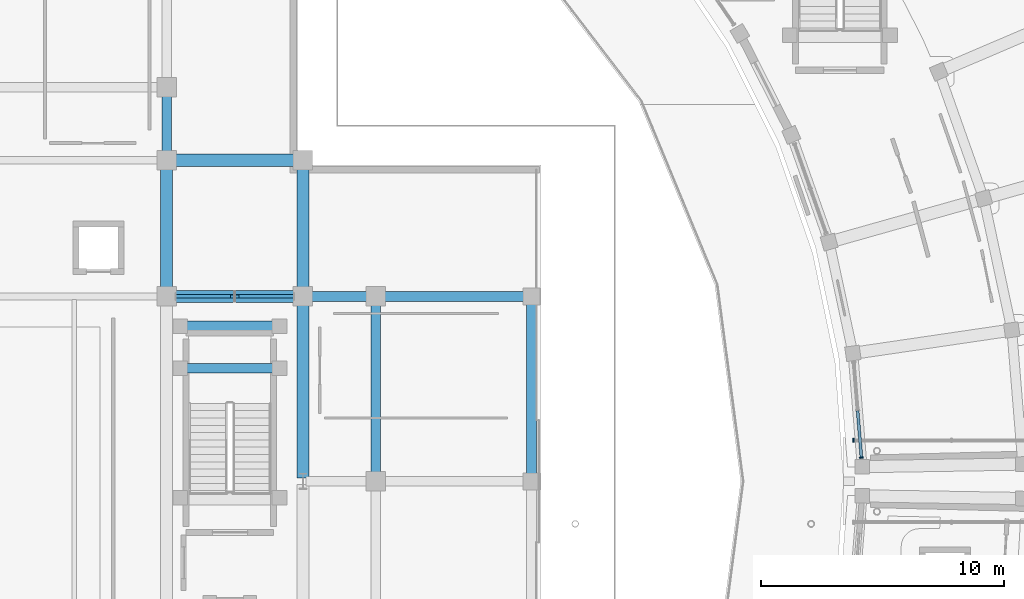
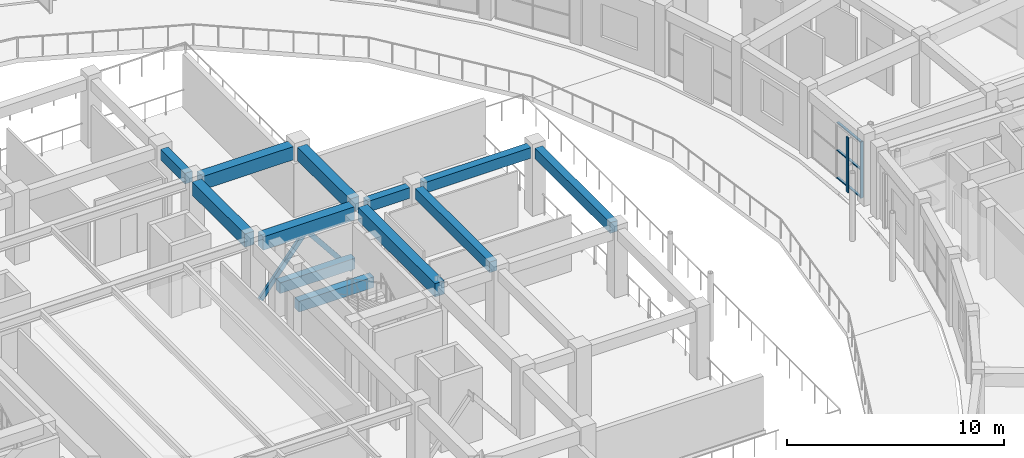
# One storey, part 33 of 83: 12 beams, 7 members, 2 elements without a shape of their own.
"""IFC4 building model written with IfcOpenShell, lengths in metres."""

from ifc_helpers import new_model, si_unit, direction, frame, origin, origin_2d, place, context, subcontext, project, spatial, rectangle, hollow_rectangle, extrude, material, material_profile, profile_set, type_object, element, aggregate, save


model = new_model("IFC4")

# Units and contexts
model_context = context("Model", 3, precision=1e-05, world=origin(), true_north=direction((0.0, 1.0)))
body_context = subcontext(model_context, "Body", "Model", "MODEL_VIEW")
ifc_project = project(units=[si_unit("LENGTHUNIT", "METRE"), si_unit("AREAUNIT", "SQUARE_METRE"), si_unit("VOLUMEUNIT", "CUBIC_METRE"), si_unit("PLANEANGLEUNIT", "RADIAN"), si_unit("MASSUNIT", "GRAM", prefix="KILO")], contexts=[model_context])

# Site, building, storey
site_placement = place(None, origin())
site = spatial("IfcSite", under=ifc_project, at=site_placement, CompositionType="ELEMENT")
building_placement = place(site_placement, origin())
building = spatial("IfcBuilding", under=site, at=building_placement, Name="Saryqyr Civic Hall", CompositionType="ELEMENT")
storey_placement = place(building_placement, frame((0.0, 0.0, 9.14990234375)))
storey = spatial("IfcBuildingStorey", under=building, at=storey_placement, Name="L02", CompositionType="ELEMENT", Elevation=9.14990234375)

# Curtain wall, member
ifc_material_1 = material(Name="Anodised aluminium and triple low-E glass", Category="aluminium")
curtain_wall_type_1 = type_object("IfcCurtainWallType", Name="ENV-CW-STD-21", PredefinedType="NOTDEFINED", material=ifc_material_1)
curtain_wall_1_placement = place(storey_placement, origin())
curtain_wall_1 = element("IfcCurtainWall", 1, at=curtain_wall_1_placement, inside=storey, type_object=curtain_wall_type_1, Name="Curtain wall V6-CWI-L02-00", PredefinedType="NOTDEFINED")
ifc_material_2 = material(Name="Anodised aluminium", Category="aluminium")
ifc_material_profile_1 = material_profile(ifc_material_2, rectangle(XDim=0.06005859375, YDim=0.159912109375, at=origin_2d()), Name="ALU MULLION 60x160")
ifc_profile_set_1 = profile_set([ifc_material_profile_1], Name="Anodised aluminium")
member_type_1 = type_object("IfcMemberType", Name="ENV-CW-MUL-180", PredefinedType="MULLION", material=ifc_profile_set_1)
member_1_placement = place(storey_placement, frame((93.164794921875, 84.97021484375, 0.0), z_axis=(0.0, 0.0, 1.0), x_axis=(-0.081090889978, 0.996706710905, 0.0)))
member_1 = element("IfcMember", 2, at=member_1_placement, type_object=member_type_1, Name="CW-21 mullion 1", PredefinedType="MULLION", context=body_context, shape_type="SweptSolid", body=[
    extrude(rectangle(XDim=0.06005859375, YDim=0.159912109375, at=origin_2d()), origin(), (0.0, 0.0, 1.0), 3.1650390625),
])

curtain_wall_type_2 = type_object("IfcCurtainWallType", Name="ENV-CW-STD-81", PredefinedType="NOTDEFINED", material=ifc_material_1)
curtain_wall_2_placement = place(storey_placement, origin())
curtain_wall_2 = element("IfcCurtainWall", 3, at=curtain_wall_2_placement, inside=storey, type_object=curtain_wall_type_2, Name="Curtain wall BR-E-CW2-L02", PredefinedType="NOTDEFINED")
member_2_placement = place(storey_placement, frame((92.830078125, 85.679931640625, 0.0), z_axis=(0.0, 0.0, 1.0), x_axis=(1.0, 0.0, 0.0)))
member_2 = element("IfcMember", 4, at=member_2_placement, type_object=member_type_1, Name="CW-81 mullion 1", PredefinedType="MULLION", context=body_context, shape_type="SweptSolid", body=[
    extrude(rectangle(XDim=0.06005859375, YDim=0.159912109375, at=origin_2d()), origin(), (0.0, 0.0, 1.0), 3.10009765625),
])
aggregate(curtain_wall_2, [member_2])

# Member
ifc_material_profile_2 = material_profile(ifc_material_2, rectangle(XDim=0.1201171875, YDim=0.06005859375, at=origin_2d()), Name="ALU TRANSOM 120x60")
ifc_profile_set_2 = profile_set([ifc_material_profile_2], Name="Anodised aluminium")
member_type_2 = type_object("IfcMemberType", Name="ENV-CW-TRN-150", PredefinedType="USERDEFINED", material=ifc_profile_set_2)
member_3_placement = place(storey_placement, frame((93.162353515625, 85.0, 0.030029296875), z_axis=(-0.081063441011, 0.99670894374, 0.0), x_axis=(-0.99670894374, -0.081063441011, 0.0)))
member_3 = element("IfcMember", 5, at=member_3_placement, type_object=member_type_2, Name="CW-21 transom 1.1", ObjectType="TRANSOM", PredefinedType="USERDEFINED", context=body_context, shape_type="SweptSolid", body=[
    extrude(rectangle(XDim=0.1201171875, YDim=0.06005859375, at=origin_2d()), origin(), (0.0, 0.0, 1.0), 1.906494140625),
])

member_4_placement = place(storey_placement, frame((93.162353515625, 85.0, 1.58203125), z_axis=(-0.081063441011, 0.99670894374, 0.0), x_axis=(-0.99670894374, -0.081063441011, 0.0)))
member_4 = element("IfcMember", 6, at=member_4_placement, type_object=member_type_2, Name="CW-21 transom 1.2", ObjectType="TRANSOM", PredefinedType="USERDEFINED", context=body_context, shape_type="SweptSolid", body=[
    extrude(rectangle(XDim=0.1201171875, YDim=0.06005859375, at=origin_2d()), origin(), (0.0, 0.0, 1.0), 1.906494140625),
])

member_5_placement = place(storey_placement, frame((93.162353515625, 85.0, 3.135009765625), z_axis=(-0.081063441011, 0.99670894374, 0.0), x_axis=(-0.99670894374, -0.081063441011, 0.0)))
member_5 = element("IfcMember", 7, at=member_5_placement, type_object=member_type_2, Name="CW-21 transom 1.3", ObjectType="TRANSOM", PredefinedType="USERDEFINED", context=body_context, shape_type="SweptSolid", body=[
    extrude(rectangle(XDim=0.1201171875, YDim=0.06005859375, at=origin_2d()), origin(), (0.0, 0.0, 1.0), 1.906494140625),
])

aggregate(curtain_wall_1, [member_1, member_3, member_4, member_5])

# Beams
ifc_material_3 = material(Name="Concrete C35/45", Category="concrete")
ifc_material_profile_3 = material_profile(ifc_material_3, rectangle(XDim=0.39990234375, YDim=0.60009765625, at=origin_2d()), Name="RC 400x600")
ifc_profile_set_3 = profile_set([ifc_material_profile_3], Name="Concrete C35/45")
beam_type_1 = type_object("IfcBeamType", Name="STR-BM-RC400x600", PredefinedType="BEAM", material=ifc_profile_set_3)
beam_1_placement = place(storey_placement, frame((73.574951171875, 91.60009765625, 3.489990234375), z_axis=(1.0, 0.0, 0.0), x_axis=(0.0, 1.0, 0.0)))
element("IfcBeam", 8, at=beam_1_placement, inside=storey, type_object=beam_type_1, Name="Beam V1-TBM-06-L02", PredefinedType="BEAM", context=body_context, shape_type="SweptSolid", body=[
    extrude(rectangle(XDim=0.39990234375, YDim=0.60009765625, at=origin_2d()), origin(), (0.0, 0.0, 1.0), 5.699951171875),
])
beam_2_placement = place(storey_placement, frame((79.60009765625, 84.324951171875, 3.489990234375), z_axis=(0.0, 1.0, 0.0), x_axis=(-1.0, 0.0, 0.0)))
element("IfcBeam", 9, at=beam_2_placement, inside=storey, type_object=beam_type_1, Name="Beam V1-TBM-16-L02", PredefinedType="BEAM", context=body_context, shape_type="SweptSolid", body=[
    extrude(rectangle(XDim=0.39990234375, YDim=0.60009765625, at=origin_2d()), origin(), (0.0, 0.0, 1.0), 6.949951171875),
])
for number, where, z_axis, x_axis, name in (
    (10, (70.574951171875, 91.60009765625, 3.489990234375), (1.0, 0.0, 0.0), (0.0, 1.0, 0.0), "Beam V1-TBM-26-L02"),
    (11, (64.60009765625, 97.574951171875, 3.489990234375), (0.0, 1.0, 0.0), (-1.0, 0.0, 0.0), "Beam V1-TBM-30-L02"),
):
    element("IfcBeam", number, at=place(storey_placement, frame(where, z_axis=z_axis, x_axis=x_axis)), inside=storey, type_object=beam_type_1, Name=name, PredefinedType="BEAM", context=body_context, shape_type="SweptSolid", body=[
        extrude(rectangle(XDim=0.39990234375, YDim=0.60009765625, at=origin_2d()), origin(), (0.0, 0.0, 1.0), 2.25),
    ])
beam_3_placement = place(storey_placement, frame((73.199951171875, 84.375, 3.489990234375), z_axis=(0.0, 1.0, 0.0), x_axis=(-1.0, 0.0, 0.0)))
element("IfcBeam", 12, at=beam_3_placement, inside=storey, type_object=beam_type_1, Name="Beam V1-TBM-34-L02", PredefinedType="BEAM", context=body_context, shape_type="SweptSolid", body=[
    extrude(rectangle(XDim=0.39990234375, YDim=0.60009765625, at=origin_2d()), origin(), (0.0, 0.0, 1.0), 6.85009765625),
])
for number, where, z_axis, x_axis, name in (
    (13, (69.199951171875, 88.64990234375, 1.525146484375), (-1.0, 0.0, 0.0), (0.0, -1.0, 0.0), "Stair half-landing support beam ST-2-LND1-L02"),
    (14, (69.199951171875, 90.3798828125, 1.525146484375), (-1.0, 0.0, 0.0), (0.0, -1.0, 0.0), "Stair half-landing support beam ST-2-LND2-L02"),
):
    element("IfcBeam", number, at=place(storey_placement, frame(where, z_axis=z_axis, x_axis=x_axis)), inside=storey, type_object=beam_type_1, Name=name, PredefinedType="BEAM", context=body_context, shape_type="SweptSolid", body=[
        extrude(rectangle(XDim=0.39990234375, YDim=0.60009765625, at=origin_2d()), origin(), (0.0, 0.0, 1.0), 4.0),
    ])
ifc_material_4 = material(Name="Concrete C40/50", Category="concrete")
ifc_material_profile_4 = material_profile(ifc_material_4, rectangle(XDim=0.5, YDim=0.75, at=origin_2d()), Name="RC 500x750")
ifc_profile_set_4 = profile_set([ifc_material_profile_4], Name="Concrete C40/50")
beam_type_2 = type_object("IfcBeamType", Name="STR-BM-RC500x750", PredefinedType="BEAM", material=ifc_profile_set_4)
for number, where, z_axis, x_axis, name in (
    (15, (64.97509765625, 91.60009765625, 3.4150390625), (1.0, 0.0, 0.0), (0.0, 1.0, 0.0), "Beam V1-WBM-E3-L02"),
    (16, (64.97509765625, 97.199951171875, 3.4150390625), (1.0, 0.0, 0.0), (0.0, 1.0, 0.0), "Beam V1-WBM-E4-L02"),
    (17, (64.60009765625, 91.97509765625, 3.4150390625), (0.0, 1.0, 0.0), (-1.0, 0.0, 0.0), "Beam V1-BM-NS33-L02"),
):
    element("IfcBeam", number, at=place(storey_placement, frame(where, z_axis=z_axis, x_axis=x_axis)), inside=storey, type_object=beam_type_2, Name=name, PredefinedType="BEAM", context=body_context, shape_type="SweptSolid", body=[
        extrude(rectangle(XDim=0.5, YDim=0.75, at=origin_2d()), origin(), (0.0, 0.0, 1.0), 4.849853515625),
    ])
beam_4_placement = place(storey_placement, frame((70.199951171875, 84.125, 3.4150390625), z_axis=(0.0, 1.0, 0.0), x_axis=(-1.0, 0.0, 0.0)))
element("IfcBeam", 18, at=beam_4_placement, inside=storey, type_object=beam_type_2, Name="Beam V1-BM-NS4B-L02", PredefinedType="BEAM", context=body_context, shape_type="SweptSolid", body=[
    extrude(rectangle(XDim=0.5, YDim=0.75, at=origin_2d()), origin(), (0.0, 0.0, 1.0), 7.10009765625),
])
beam_5_placement = place(storey_placement, frame((70.199951171875, 91.97509765625, 3.4150390625), z_axis=(0.0, 1.0, 0.0), x_axis=(-1.0, 0.0, 0.0)))
element("IfcBeam", 19, at=beam_5_placement, inside=storey, type_object=beam_type_2, Name="Beam V1-BM-NS43-L02", PredefinedType="BEAM", context=body_context, shape_type="SweptSolid", body=[
    extrude(rectangle(XDim=0.5, YDim=0.75, at=origin_2d()), origin(), (0.0, 0.0, 1.0), 4.849853515625),
])

# Members
ifc_material_5 = material(Name="Steel S355", Category="steel")
ifc_material_profile_5 = material_profile(ifc_material_5, hollow_rectangle(XDim=0.14990234375, YDim=0.25, WallThickness=0.012451171875, at=origin_2d()), Name="RHS 250x150x12.5")
ifc_profile_set_5 = profile_set([ifc_material_profile_5], Name="Steel S355")
member_type_3 = type_object("IfcMemberType", Name="STR-BR-RHS250", PredefinedType="BRACE", material=ifc_profile_set_5)
for number, where, z_axis, x_axis, name in (
    (20, (64.9599609375, 91.60009765625, 0.1201171875), (0.624718690137, 0.0, 0.78084989479), (0.0, 1.0, 0.0), "Seismic chevron brace 4A L02"),
    (21, (69.840087890625, 91.60009765625, 0.1201171875), (-0.624718690137, 0.0, 0.78084989479), (0.0, -1.0, 0.0), "Seismic chevron brace 4B L02"),
):
    element("IfcMember", number, at=place(storey_placement, frame(where, z_axis=z_axis, x_axis=x_axis)), inside=storey, type_object=member_type_3, Name=name, PredefinedType="BRACE", context=body_context, shape_type="SweptSolid", body=[
        extrude(hollow_rectangle(XDim=0.14990234375, YDim=0.25, WallThickness=0.012451171875, at=origin_2d()), origin(), (0.0, 0.0, 1.0), 3.77783203125),
    ])

save(model, "model.ifc")
